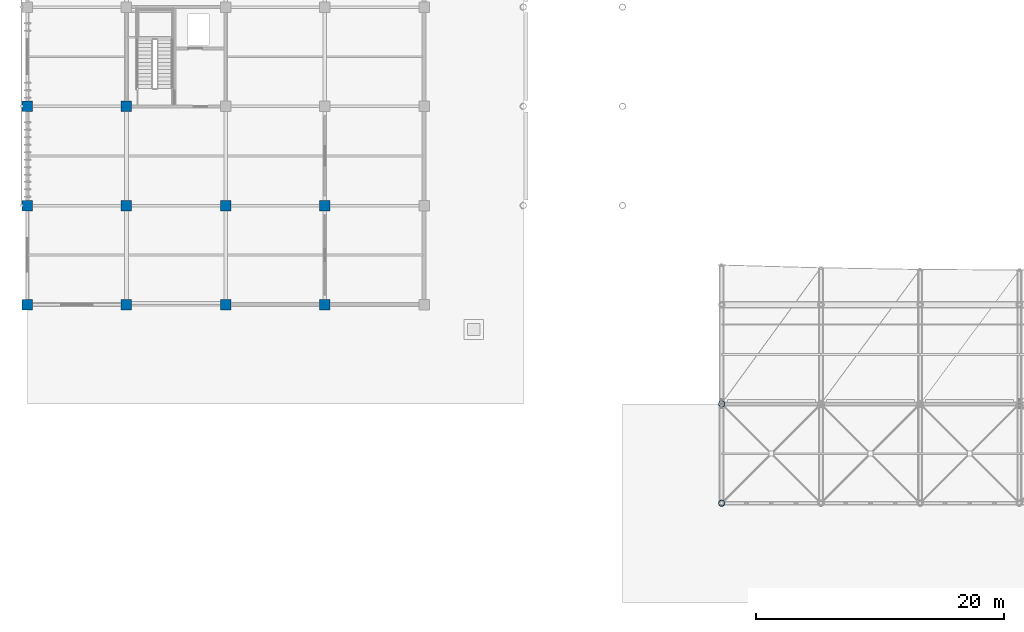
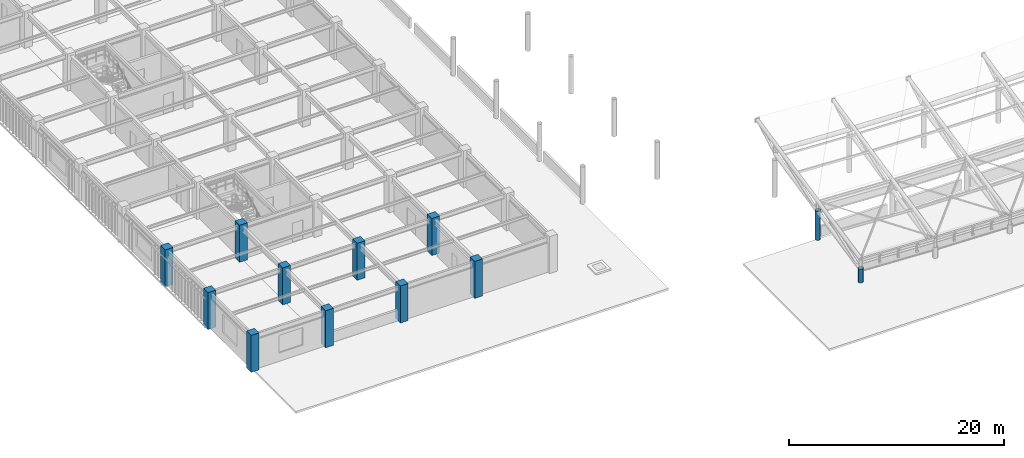
# One storey, part 1 of 78: 12 columns.
"""IFC4 building model written with IfcOpenShell, lengths in metres."""

import ifcopenshell
import ifcopenshell.guid

model = None  # the IFC model being written
_history = None  # IfcOwnerHistory: only IFC2X3 demands one
_inside = {}  # id of a spatial element -> (the spatial element, [elements in it])
_under = {}  # id of a project, library or spatial element -> (it, [spatial elements below it])
_declared = {}  # id of a project -> (the project, [libraries it declares])
_typed = {}  # id of a type object -> (the type object, [elements of that type])
_made_of = {}  # id of a material, layer set ... -> (it, [elements and type objects made of it])


def new_model(schema):
    """Start an empty IFC model of exactly this schema.

    Asked for "IFC4X3", IfcOpenShell would pick the latest addendum, in which some entities
    have other attributes; the version numbers below select the first issue.
    IFC2X3 requires an IfcOwnerHistory on every rooted entity: one is made here for all.
    """
    global model, _history
    if schema == "IFC4X3":
        model = ifcopenshell.file(schema_version=(4, 3, 0, 0))
    else:
        model = ifcopenshell.file(schema=schema)
    _inside.clear()
    _under.clear()
    _declared.clear()
    _typed.clear()
    _made_of.clear()
    _history = None
    if model.schema == "IFC2X3":
        org = make("IfcOrganization", Name="unknown")
        user = make(
            "IfcPersonAndOrganization",
            ThePerson=make("IfcPerson", FamilyName="unknown"),
            TheOrganization=org,
        )
        app = make(
            "IfcApplication",
            ApplicationDeveloper=org,
            Version="unknown",
            ApplicationFullName="unknown",
            ApplicationIdentifier="unknown",
        )
        _history = make(
            "IfcOwnerHistory",
            OwningUser=user,
            OwningApplication=app,
            ChangeAction="ADDED",
            CreationDate=0,
        )
    return model


def make(cls, **values):
    """One entity of the class cls with the attributes given. An attribute that is None is left unset."""
    return model.create_entity(
        cls, **{name: value for name, value in values.items() if value is not None}
    )


def rooted(cls, **values):
    """An entity with a GlobalId (a new one), such as an element, a storey or a relation."""
    return make(cls, GlobalId=ifcopenshell.guid.new(), OwnerHistory=_history, **values)


def si_unit(unit_type, name, prefix=None):
    """IfcSIUnit, for example si_unit("LENGTHUNIT", "METRE", prefix="MILLI")."""
    return make("IfcSIUnit", UnitType=unit_type, Prefix=prefix, Name=name)


def assignment(units):
    """IfcUnitAssignment: the units of a project."""
    return None if units is None else make("IfcUnitAssignment", Units=units)


def point(xyz):
    """IfcCartesianPoint."""
    return None if xyz is None else make("IfcCartesianPoint", Coordinates=xyz)


def direction(xyz):
    """IfcDirection."""
    return None if xyz is None else make("IfcDirection", DirectionRatios=xyz)


def frame(location, z_axis=None, x_axis=None):
    """IfcAxis2Placement3D, a coordinate frame: its origin and axes. An axis left out is left unset."""
    return make(
        "IfcAxis2Placement3D",
        Location=point(location),
        Axis=direction(z_axis),
        RefDirection=direction(x_axis),
    )


def frame_2d(location, x_axis=None):
    """IfcAxis2Placement2D, a coordinate frame in the plane: its origin and x axis."""
    return make(
        "IfcAxis2Placement2D", Location=point(location), RefDirection=direction(x_axis)
    )


def origin():
    """The frame at (0, 0, 0) with its axes left unset."""
    return frame((0.0, 0.0, 0.0))


def origin_2d():
    """The frame at (0, 0) in the plane with its x axis left unset."""
    return frame_2d((0.0, 0.0))


def place(relative_to, where):
    """IfcLocalPlacement: puts the frame where relative to a parent placement (None: the world)."""
    return make(
        "IfcLocalPlacement", PlacementRelTo=relative_to, RelativePlacement=where
    )


def context(
    kind, dimensions, precision=None, world=None, true_north=None, identifier=None
):
    """IfcGeometricRepresentationContext, for example the 3D "Model" context."""
    return make(
        "IfcGeometricRepresentationContext",
        ContextIdentifier=identifier,
        ContextType=kind,
        CoordinateSpaceDimension=dimensions,
        Precision=precision,
        WorldCoordinateSystem=world,
        TrueNorth=true_north,
    )


def subcontext(parent, identifier, kind, view, scale=None):
    """IfcGeometricRepresentationSubContext, for example "Body" below "Model"."""
    return make(
        "IfcGeometricRepresentationSubContext",
        ContextIdentifier=identifier,
        ContextType=kind,
        ParentContext=parent,
        TargetScale=scale,
        TargetView=view,
    )


def project(units=None, contexts=None):
    """IfcProject with its units and contexts."""
    return rooted(
        "IfcProject",
        Name="project",
        RepresentationContexts=contexts,
        UnitsInContext=assignment(units),
    )


def spatial(cls, under=None, at=None, **own):
    """A site, building, storey or space (cls), placed at a placement, below another one or the project."""
    s = rooted(cls, ObjectPlacement=at, **own)
    if under is not None:
        _under.setdefault(under.id(), (under, []))[1].append(s)
    return s


def profile(cls, at=None, kind="AREA", **sizes):
    """A parametric profile (cls). Its sizes go by their IFC names, for example OverallWidth=200.0."""
    return make(cls, ProfileType=kind, Position=at, **sizes)


def rectangle(**sizes):
    """IfcRectangleProfileDef."""
    return profile("IfcRectangleProfileDef", **sizes)


def hollow_circle(**sizes):
    """IfcCircleHollowProfileDef."""
    return profile("IfcCircleHollowProfileDef", **sizes)


def extrude(swept, where, along, depth):
    """IfcExtrudedAreaSolid: the profile swept, set in the frame where, extruded along a direction by depth."""
    return make(
        "IfcExtrudedAreaSolid",
        SweptArea=swept,
        Position=where,
        ExtrudedDirection=direction(along),
        Depth=depth,
    )


def shape(context_of_items, identifier, shape_type, items):
    """IfcShapeRepresentation: the items that make up one representation, for example the "Body"."""
    return make(
        "IfcShapeRepresentation",
        ContextOfItems=context_of_items,
        RepresentationIdentifier=identifier,
        RepresentationType=shape_type,
        Items=items,
    )


def material(Name=None, Category=None):
    """IfcMaterial."""
    return make("IfcMaterial", Name=Name, Category=Category)


def material_profile(
    of_material, cross_section, Name=None, Category=None, Priority=None
):
    """IfcMaterialProfile: a cross section and its material."""
    return make(
        "IfcMaterialProfile",
        Name=Name,
        Material=of_material,
        Profile=cross_section,
        Priority=Priority,
        Category=Category,
    )


def profile_set(profiles, Name=None, composite=None):
    """IfcMaterialProfileSet."""
    return make(
        "IfcMaterialProfileSet",
        Name=Name,
        MaterialProfiles=profiles,
        CompositeProfile=composite,
    )


def made_of(thing, what):
    """Note that an element or type object is made of a material, layer set ...; save() writes the relation."""
    if what is not None:
        _made_of.setdefault(what.id(), (what, []))[1].append(thing)
    return thing


def type_object(cls, material=None, **own):
    """A type object (cls), such as IfcWallType, which elements share."""
    return made_of(rooted(cls, **own), material)


def element(
    cls,
    number,
    at=None,
    inside=None,
    cuts=None,
    type_object=None,
    material=None,
    context=None,
    identifier="Body",
    shape_type=None,
    held_by="IfcProductDefinitionShape",
    body=None,
    shapes=None,
    **own,
):
    """One element of the class cls, such as IfcWall. Its Tag is "e" and its number.

    at: its placement. inside: the storey or other place that contains it. cuts: it is an
    opening in that element (IfcRelVoidsElement). A single representation is given by context,
    identifier, shape_type and body (its items); several are given by shapes. held_by: the class
    of the entity that holds the representations. save() writes the other relations.
    """
    e = rooted(cls, Tag="e%d" % number, ObjectPlacement=at, **own)
    if body is not None:
        shapes = [shape(context, identifier, shape_type, body)]
    if shapes is not None:
        e.Representation = make(held_by, Representations=shapes)
    if inside is not None:
        _inside.setdefault(inside.id(), (inside, []))[1].append(e)
    if cuts is not None:
        rooted(
            "IfcRelVoidsElement", RelatingBuildingElement=cuts, RelatedOpeningElement=e
        )
    if type_object is not None:
        _typed.setdefault(type_object.id(), (type_object, []))[1].append(e)
    return made_of(e, material)


def aggregate(whole, parts):
    """IfcRelAggregates: a whole, such as a stair, and the parts it consists of."""
    return rooted("IfcRelAggregates", RelatingObject=whole, RelatedObjects=parts)


def save(model, path):
    """Write the relations noted so far, then the file.

    IfcRelAggregates (storeys below a building ...), IfcRelContainedInSpatialStructure (elements
    in a storey), IfcRelDefinesByType, IfcRelAssociatesMaterial and IfcRelDeclares: one each for
    every whole, place, type object, material and project.
    """
    for whole, parts in _under.values():
        aggregate(whole, parts)
    for where, things in _inside.values():
        rooted(
            "IfcRelContainedInSpatialStructure",
            RelatedElements=things,
            RelatingStructure=where,
        )
    for kind, things in _typed.values():
        rooted("IfcRelDefinesByType", RelatedObjects=things, RelatingType=kind)
    for what, things in _made_of.values():
        rooted("IfcRelAssociatesMaterial", RelatedObjects=things, RelatingMaterial=what)
    for by, libraries in _declared.values():
        rooted("IfcRelDeclares", RelatingContext=by, RelatedDefinitions=libraries)
    model.write(path)


model = new_model("IFC4")

# Units and contexts
model_context = context("Model", 3, precision=1e-05, world=origin(), true_north=direction((0.0, 1.0)))
body_context = subcontext(model_context, "Body", "Model", "MODEL_VIEW")
ifc_project = project(units=[si_unit("LENGTHUNIT", "METRE"), si_unit("AREAUNIT", "SQUARE_METRE"), si_unit("VOLUMEUNIT", "CUBIC_METRE"), si_unit("PLANEANGLEUNIT", "RADIAN"), si_unit("MASSUNIT", "GRAM", prefix="KILO")], contexts=[model_context])

# Site, building, storey
site_placement = place(None, origin())
site = spatial("IfcSite", under=ifc_project, at=site_placement, CompositionType="ELEMENT")
building_placement = place(site_placement, origin())
building = spatial("IfcBuilding", under=site, at=building_placement, Name="Haebicheon Civic Stadium", CompositionType="ELEMENT")
storey_placement = place(building_placement, frame((0.0, 0.0, 18.60009765625)))
storey = spatial("IfcBuildingStorey", under=building, at=storey_placement, Name="L05", CompositionType="ELEMENT", Elevation=18.60009765625)

# Columns
ifc_material_1 = material(Name="Concrete C40/50", Category="concrete")
ifc_material_profile_1 = material_profile(ifc_material_1, rectangle(XDim=0.85009765625, YDim=0.85009765625, at=origin_2d()), Name="RC-COL-850x850")
ifc_profile_set_1 = profile_set([ifc_material_profile_1], Name="Concrete C40/50")
column_type_1 = type_object("IfcColumnType", Name="COL-RC-850", PredefinedType="COLUMN", material=ifc_profile_set_1)
for number, where, z_axis, x_axis, name in (
    (1, (24.0, 40.0, 0.0), (0.0, 0.0, 1.0), (1.0, 0.0, 0.0), "L05 column 4/F"),
    (2, (24.0, 48.0, 0.0), (0.0, 0.0, 1.0), (1.0, 0.0, 0.0), "L05 column 4/G"),
    (3, (24.0, 56.0, 0.0), (0.0, 0.0, 1.0), (1.0, 0.0, 0.0), "L05 column 4/H"),
    (4, (32.0, 40.0, 0.0), (0.0, 0.0, 1.0), (1.0, 0.0, 0.0), "L05 column 5/F"),
    (5, (32.0, 48.0, 0.0), (0.0, 0.0, 1.0), (1.0, 0.0, 0.0), "L05 column 5/G"),
    (6, (32.0, 56.0, 0.0), (0.0, 0.0, 1.0), (1.0, 0.0, 0.0), "L05 column 5/H"),
    (7, (40.0, 40.0, 0.0), (0.0, 0.0, 1.0), (1.0, 0.0, 0.0), "L05 column 6/F"),
    (8, (40.0, 48.0, 0.0), (0.0, 0.0, 1.0), (1.0, 0.0, 0.0), "L05 column 6/G"),
    (9, (48.0, 40.0, 0.0), (0.0, 0.0, 1.0), (1.0, 0.0, 0.0), "L05 column 7/F"),
    (10, (48.0, 48.0, 0.0), (0.0, 0.0, 1.0), (1.0, 0.0, 0.0), "L05 column 7/G"),
):
    element("IfcColumn", number, at=place(storey_placement, frame(where, z_axis=z_axis, x_axis=x_axis)), inside=storey, type_object=column_type_1, material=ifc_profile_set_1, Name=name, PredefinedType="COLUMN", context=body_context, shape_type="SweptSolid", body=[
        extrude(rectangle(XDim=0.85009765625, YDim=0.85009765625, at=origin_2d()), origin(), (0.0, 0.0, 1.0), 4.199951171875),
    ])
ifc_material_2 = material(Name="White painted steel SM490", Category="steel")
ifc_material_profile_2 = material_profile(ifc_material_2, hollow_circle(Radius=0.25390625, WallThickness=0.02490234375, at=origin_2d()), Name="CHS-508.0x25.0")
ifc_profile_set_2 = profile_set([ifc_material_profile_2], Name="White painted steel SM490")
column_type_2 = type_object("IfcColumnType", Name="COL-ST-CHS508", PredefinedType="COLUMN", material=ifc_profile_set_2)
column_1_placement = place(storey_placement, frame((80.0, 24.0, 0.0), z_axis=(0.0, 0.0, 1.0), x_axis=(1.0, 0.0, 0.0)))
element("IfcColumn", 11, at=column_1_placement, inside=storey, type_object=column_type_2, material=ifc_profile_set_2, Name="Bowl/canopy support column 80/24 (L05)", PredefinedType="COLUMN", context=body_context, shape_type="SweptSolid", body=[
    extrude(hollow_circle(Radius=0.25390625, WallThickness=0.02490234375, at=origin_2d()), origin(), (0.0, 0.0, 1.0), 1.5869140625),
])
column_2_placement = place(storey_placement, frame((80.0, 32.0, 0.0), z_axis=(0.0, 0.0, 1.0), x_axis=(1.0, 0.0, 0.0)))
element("IfcColumn", 12, at=column_2_placement, inside=storey, type_object=column_type_2, material=ifc_profile_set_2, Name="Bowl/canopy support column 80/32 (L05)", PredefinedType="COLUMN", context=body_context, shape_type="SweptSolid", body=[
    extrude(hollow_circle(Radius=0.25390625, WallThickness=0.02490234375, at=origin_2d()), origin(), (0.0, 0.0, 1.0), 3.306884765625),
])

save(model, "model.ifc")
